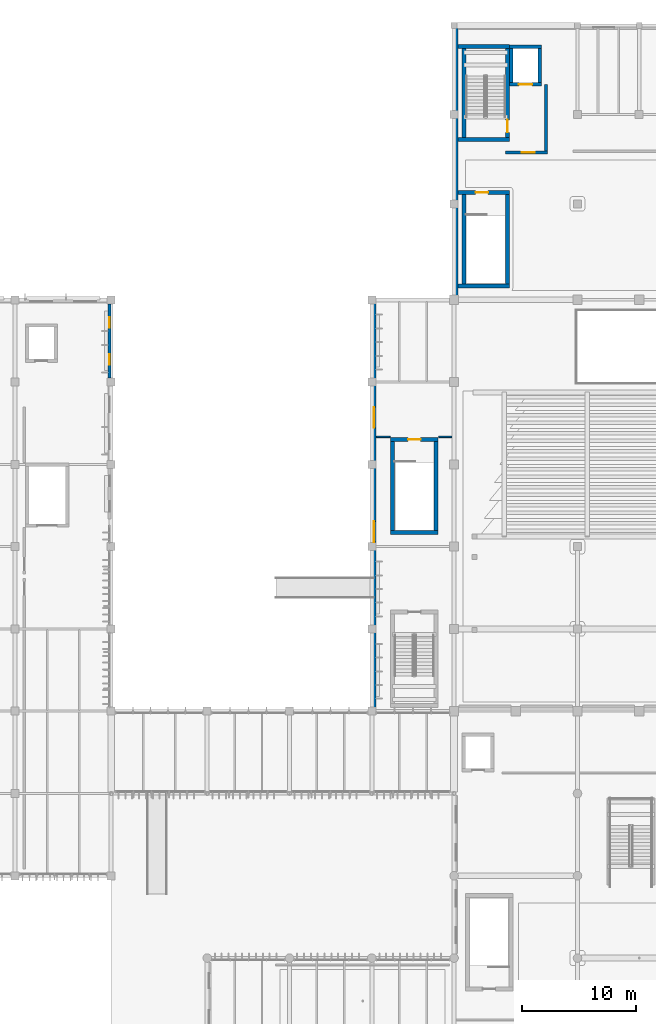
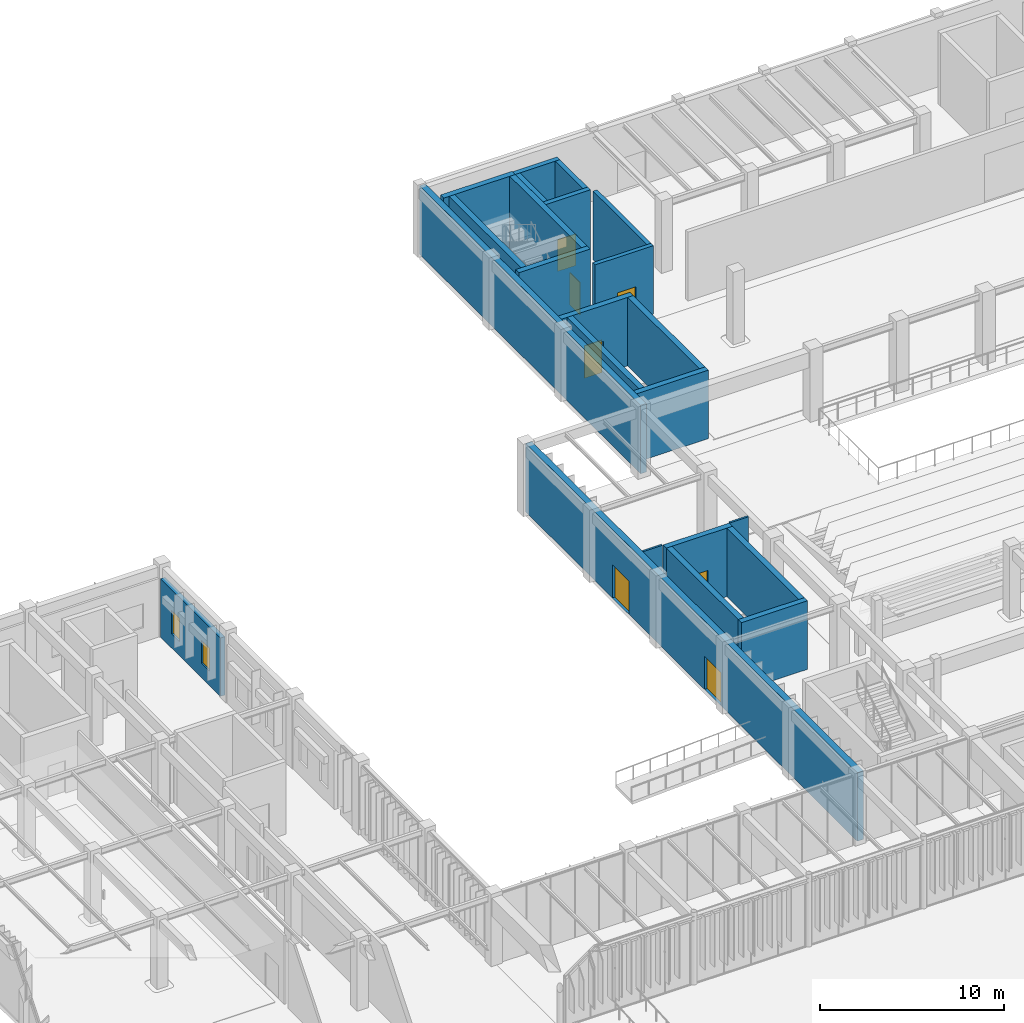
# One storey, part 37 of 122: 23 walls, 7 doors, 2 windows, 9 openings.
"""IFC4 building model written with IfcOpenShell, lengths in metres."""

import ifcopenshell
import ifcopenshell.guid

model = None  # the IFC model being written
_history = None  # IfcOwnerHistory: only IFC2X3 demands one
_inside = {}  # id of a spatial element -> (the spatial element, [elements in it])
_under = {}  # id of a project, library or spatial element -> (it, [spatial elements below it])
_declared = {}  # id of a project -> (the project, [libraries it declares])
_typed = {}  # id of a type object -> (the type object, [elements of that type])
_made_of = {}  # id of a material, layer set ... -> (it, [elements and type objects made of it])


def new_model(schema):
    """Start an empty IFC model of exactly this schema.

    Asked for "IFC4X3", IfcOpenShell would pick the latest addendum, in which some entities
    have other attributes; the version numbers below select the first issue.
    IFC2X3 requires an IfcOwnerHistory on every rooted entity: one is made here for all.
    """
    global model, _history
    if schema == "IFC4X3":
        model = ifcopenshell.file(schema_version=(4, 3, 0, 0))
    else:
        model = ifcopenshell.file(schema=schema)
    _inside.clear()
    _under.clear()
    _declared.clear()
    _typed.clear()
    _made_of.clear()
    _history = None
    if model.schema == "IFC2X3":
        org = make("IfcOrganization", Name="unknown")
        user = make(
            "IfcPersonAndOrganization",
            ThePerson=make("IfcPerson", FamilyName="unknown"),
            TheOrganization=org,
        )
        app = make(
            "IfcApplication",
            ApplicationDeveloper=org,
            Version="unknown",
            ApplicationFullName="unknown",
            ApplicationIdentifier="unknown",
        )
        _history = make(
            "IfcOwnerHistory",
            OwningUser=user,
            OwningApplication=app,
            ChangeAction="ADDED",
            CreationDate=0,
        )
    return model


def make(cls, **values):
    """One entity of the class cls with the attributes given. An attribute that is None is left unset."""
    return model.create_entity(
        cls, **{name: value for name, value in values.items() if value is not None}
    )


def rooted(cls, **values):
    """An entity with a GlobalId (a new one), such as an element, a storey or a relation."""
    return make(cls, GlobalId=ifcopenshell.guid.new(), OwnerHistory=_history, **values)


def si_unit(unit_type, name, prefix=None):
    """IfcSIUnit, for example si_unit("LENGTHUNIT", "METRE", prefix="MILLI")."""
    return make("IfcSIUnit", UnitType=unit_type, Prefix=prefix, Name=name)


def assignment(units):
    """IfcUnitAssignment: the units of a project."""
    return None if units is None else make("IfcUnitAssignment", Units=units)


def point(xyz):
    """IfcCartesianPoint."""
    return None if xyz is None else make("IfcCartesianPoint", Coordinates=xyz)


def direction(xyz):
    """IfcDirection."""
    return None if xyz is None else make("IfcDirection", DirectionRatios=xyz)


def frame(location, z_axis=None, x_axis=None):
    """IfcAxis2Placement3D, a coordinate frame: its origin and axes. An axis left out is left unset."""
    return make(
        "IfcAxis2Placement3D",
        Location=point(location),
        Axis=direction(z_axis),
        RefDirection=direction(x_axis),
    )


def frame_2d(location, x_axis=None):
    """IfcAxis2Placement2D, a coordinate frame in the plane: its origin and x axis."""
    return make(
        "IfcAxis2Placement2D", Location=point(location), RefDirection=direction(x_axis)
    )


def origin():
    """The frame at (0, 0, 0) with its axes left unset."""
    return frame((0.0, 0.0, 0.0))


def place(relative_to, where):
    """IfcLocalPlacement: puts the frame where relative to a parent placement (None: the world)."""
    return make(
        "IfcLocalPlacement", PlacementRelTo=relative_to, RelativePlacement=where
    )


def context(
    kind, dimensions, precision=None, world=None, true_north=None, identifier=None
):
    """IfcGeometricRepresentationContext, for example the 3D "Model" context."""
    return make(
        "IfcGeometricRepresentationContext",
        ContextIdentifier=identifier,
        ContextType=kind,
        CoordinateSpaceDimension=dimensions,
        Precision=precision,
        WorldCoordinateSystem=world,
        TrueNorth=true_north,
    )


def subcontext(parent, identifier, kind, view, scale=None):
    """IfcGeometricRepresentationSubContext, for example "Body" below "Model"."""
    return make(
        "IfcGeometricRepresentationSubContext",
        ContextIdentifier=identifier,
        ContextType=kind,
        ParentContext=parent,
        TargetScale=scale,
        TargetView=view,
    )


def project(units=None, contexts=None):
    """IfcProject with its units and contexts."""
    return rooted(
        "IfcProject",
        Name="project",
        RepresentationContexts=contexts,
        UnitsInContext=assignment(units),
    )


def spatial(cls, under=None, at=None, **own):
    """A site, building, storey or space (cls), placed at a placement, below another one or the project."""
    s = rooted(cls, ObjectPlacement=at, **own)
    if under is not None:
        _under.setdefault(under.id(), (under, []))[1].append(s)
    return s


def profile(cls, at=None, kind="AREA", **sizes):
    """A parametric profile (cls). Its sizes go by their IFC names, for example OverallWidth=200.0."""
    return make(cls, ProfileType=kind, Position=at, **sizes)


def rectangle(**sizes):
    """IfcRectangleProfileDef."""
    return profile("IfcRectangleProfileDef", **sizes)


def extrude(swept, where, along, depth):
    """IfcExtrudedAreaSolid: the profile swept, set in the frame where, extruded along a direction by depth."""
    return make(
        "IfcExtrudedAreaSolid",
        SweptArea=swept,
        Position=where,
        ExtrudedDirection=direction(along),
        Depth=depth,
    )


def shape(context_of_items, identifier, shape_type, items):
    """IfcShapeRepresentation: the items that make up one representation, for example the "Body"."""
    return make(
        "IfcShapeRepresentation",
        ContextOfItems=context_of_items,
        RepresentationIdentifier=identifier,
        RepresentationType=shape_type,
        Items=items,
    )


def material(Name=None, Category=None):
    """IfcMaterial."""
    return make("IfcMaterial", Name=Name, Category=Category)


def layer(
    of_material, thickness, ventilated=None, Name=None, Category=None, Priority=None
):
    """IfcMaterialLayer: one layer of a wall or slab, of a material (None: an air gap)."""
    return make(
        "IfcMaterialLayer",
        Material=of_material,
        LayerThickness=thickness,
        IsVentilated=ventilated,
        Name=Name,
        Category=Category,
        Priority=Priority,
    )


def layer_set(layers, Name=None):
    """IfcMaterialLayerSet."""
    return make("IfcMaterialLayerSet", MaterialLayers=layers, LayerSetName=Name)


def made_of(thing, what):
    """Note that an element or type object is made of a material, layer set ...; save() writes the relation."""
    if what is not None:
        _made_of.setdefault(what.id(), (what, []))[1].append(thing)
    return thing


def type_object(cls, material=None, **own):
    """A type object (cls), such as IfcWallType, which elements share."""
    return made_of(rooted(cls, **own), material)


def element(
    cls,
    number,
    at=None,
    inside=None,
    cuts=None,
    type_object=None,
    material=None,
    context=None,
    identifier="Body",
    shape_type=None,
    held_by="IfcProductDefinitionShape",
    body=None,
    shapes=None,
    **own,
):
    """One element of the class cls, such as IfcWall. Its Tag is "e" and its number.

    at: its placement. inside: the storey or other place that contains it. cuts: it is an
    opening in that element (IfcRelVoidsElement). A single representation is given by context,
    identifier, shape_type and body (its items); several are given by shapes. held_by: the class
    of the entity that holds the representations. save() writes the other relations.
    """
    e = rooted(cls, Tag="e%d" % number, ObjectPlacement=at, **own)
    if body is not None:
        shapes = [shape(context, identifier, shape_type, body)]
    if shapes is not None:
        e.Representation = make(held_by, Representations=shapes)
    if inside is not None:
        _inside.setdefault(inside.id(), (inside, []))[1].append(e)
    if cuts is not None:
        rooted(
            "IfcRelVoidsElement", RelatingBuildingElement=cuts, RelatedOpeningElement=e
        )
    if type_object is not None:
        _typed.setdefault(type_object.id(), (type_object, []))[1].append(e)
    return made_of(e, material)


def fill(opening, filler):
    """IfcRelFillsElement: the door or window that sits in an opening."""
    return rooted(
        "IfcRelFillsElement",
        RelatingOpeningElement=opening,
        RelatedBuildingElement=filler,
    )


def aggregate(whole, parts):
    """IfcRelAggregates: a whole, such as a stair, and the parts it consists of."""
    return rooted("IfcRelAggregates", RelatingObject=whole, RelatedObjects=parts)


def save(model, path):
    """Write the relations noted so far, then the file.

    IfcRelAggregates (storeys below a building ...), IfcRelContainedInSpatialStructure (elements
    in a storey), IfcRelDefinesByType, IfcRelAssociatesMaterial and IfcRelDeclares: one each for
    every whole, place, type object, material and project.
    """
    for whole, parts in _under.values():
        aggregate(whole, parts)
    for where, things in _inside.values():
        rooted(
            "IfcRelContainedInSpatialStructure",
            RelatedElements=things,
            RelatingStructure=where,
        )
    for kind, things in _typed.values():
        rooted("IfcRelDefinesByType", RelatedObjects=things, RelatingType=kind)
    for what, things in _made_of.values():
        rooted("IfcRelAssociatesMaterial", RelatedObjects=things, RelatingMaterial=what)
    for by, libraries in _declared.values():
        rooted("IfcRelDeclares", RelatingContext=by, RelatedDefinitions=libraries)
    model.write(path)


model = new_model("IFC4")

# Units and contexts
model_context = context("Model", 3, precision=1e-05, world=origin(), true_north=direction((0.0, 1.0)))
body_context = subcontext(model_context, "Body", "Model", "MODEL_VIEW")
ifc_project = project(units=[si_unit("LENGTHUNIT", "METRE"), si_unit("AREAUNIT", "SQUARE_METRE"), si_unit("VOLUMEUNIT", "CUBIC_METRE"), si_unit("PLANEANGLEUNIT", "RADIAN"), si_unit("MASSUNIT", "GRAM", prefix="KILO")], contexts=[model_context])

# Site, building, storey
site_placement = place(None, origin())
site = spatial("IfcSite", under=ifc_project, at=site_placement, CompositionType="ELEMENT")
building_placement = place(site_placement, origin())
building = spatial("IfcBuilding", under=site, at=building_placement, Name="Tazoul Stagehouse", CompositionType="ELEMENT")
storey_placement = place(building_placement, origin())
storey = spatial("IfcBuildingStorey", under=building, at=storey_placement, Name="L00", CompositionType="ELEMENT", Elevation=0.0)

# Wall
ifc_material_1 = material(Name="Ochre Fired Clay Facing Brick Masonry", Category="masonry")
ifc_layer_1 = layer(ifc_material_1, 0.360107421875, Name="Ochre Fired Clay Facing Brick Masonry")
ifc_layer_set_1 = layer_set([ifc_layer_1], Name="Ochre Fired Clay Facing Brick Masonry")
wall_type_1 = type_object("IfcWallType", Name="Acoustic Stagehouse Masonry-Concrete Cavity Wall 360", PredefinedType="SOLIDWALL", material=ifc_layer_set_1)
wall_1_placement = place(storey_placement, frame((57.780029296875, 87.800048828125, 0.0), z_axis=(0.0, 0.0, 1.0), x_axis=(0.0, 1.0, 0.0)))
element("IfcWall", 1, at=wall_1_placement, inside=storey, type_object=wall_type_1, Name="L00 Wall EW-360 (WALL-V2-W-L00-S1)", PredefinedType="SOLIDWALL", context=body_context, shape_type="SweptSolid", body=[
    extrude(rectangle(XDim=24.0, YDim=0.360107421875, at=frame_2d((12.0, 0.0))), origin(), (0.0, 0.0, 1.0), 4.5400390625),
])

# Wall, openings, doors
ifc_material_2 = material(Name="Concrete C40/50", Category="concrete")
ifc_layer_2 = layer(ifc_material_2, 0.3798828125, Name="Concrete C40/50")
ifc_layer_set_2 = layer_set([ifc_layer_2], Name="Concrete C40/50")
wall_type_2 = type_object("IfcWallType", Name="Auditorium Shell Acoustic Perimeter Wall 380", PredefinedType="SOLIDWALL", material=ifc_layer_set_2)
wall_2_placement = place(storey_placement, frame((50.590087890625, 51.800048828125, 0.0), z_axis=(0.0, 0.0, 1.0), x_axis=(0.0, 1.0, 0.0)))
wall_2 = element("IfcWall", 2, at=wall_2_placement, inside=storey, type_object=wall_type_2, Name="L00 Wall EW-380 (WALL-V1-W-L00-S1)", PredefinedType="SOLIDWALL", context=body_context, shape_type="SweptSolid", body=[
    extrude(rectangle(XDim=36.0, YDim=0.3798828125, at=frame_2d((18.0, 0.0))), origin(), (0.0, 0.0, 1.0), 4.5400390625),
])
opening_1_placement = place(wall_2_placement, frame((14.800048828125, 0.0, 0.0)))
opening_1 = element("IfcOpeningElement", 3, at=opening_1_placement, cuts=wall_2, Name="Opening ED-03", PredefinedType="OPENING", context=body_context, shape_type="SweptSolid", body=[
    extrude(rectangle(XDim=1.800048828125, YDim=2.199951171875, at=frame_2d((0.89990234375, 1.10009765625))), frame((0.0, 0.2099609375, 0.0), z_axis=(0.0, -1.0, 0.0), x_axis=(1.0, 0.0, 0.0)), (0.0, 0.0, 1.0), 0.419921875),
])
opening_2_placement = place(wall_2_placement, frame((24.800048828125, 0.0, 0.0)))
opening_2 = element("IfcOpeningElement", 4, at=opening_2_placement, cuts=wall_2, Name="Opening ED-03", PredefinedType="OPENING", context=body_context, shape_type="SweptSolid", body=[
    extrude(rectangle(XDim=1.800048828125, YDim=2.199951171875, at=frame_2d((0.89990234375, 1.10009765625))), frame((0.0, 0.2099609375, 0.0), z_axis=(0.0, -1.0, 0.0), x_axis=(1.0, 0.0, 0.0)), (0.0, 0.0, 1.0), 0.419921875),
])
ifc_material_3 = material(Name="Powder-Coated Galvanised Steel Leaf", Category="steel")
door_type_1 = type_object("IfcDoorType", Name="Perimeter Emergency Exit Double Door 1800x2200", OperationType="DOUBLE_DOOR_SINGLE_SWING", PredefinedType="DOOR", material=ifc_material_3)
door_1_placement = place(opening_1_placement, origin())
door_1 = element("IfcDoor", 5, at=door_1_placement, inside=storey, type_object=door_type_1, Name="L00 Door ED-03 (DR-V1-W-EXIT1)", OperationType="SINGLE_SWING_LEFT", OverallHeight=2.199951171875, OverallWidth=1.800048828125, PredefinedType="DOOR", context=body_context, shape_type="SweptSolid", body=[
    extrude(rectangle(XDim=1.800048828125, YDim=2.199951171875, at=frame_2d((0.89990234375, 1.10009765625))), frame((0.0, 0.02490234375, 0.0), z_axis=(0.0, -1.0, 0.0), x_axis=(1.0, 0.0, 0.0)), (0.0, 0.0, 1.0), 0.050048828125),
])
fill(opening_1, door_1)
door_2_placement = place(opening_2_placement, origin())
door_2 = element("IfcDoor", 6, at=door_2_placement, inside=storey, type_object=door_type_1, Name="L00 Door ED-03 (DR-V1-W-EXIT2)", OperationType="SINGLE_SWING_LEFT", OverallHeight=2.199951171875, OverallWidth=1.800048828125, PredefinedType="DOOR", context=body_context, shape_type="SweptSolid", body=[
    extrude(rectangle(XDim=1.800048828125, YDim=2.199951171875, at=frame_2d((0.89990234375, 1.10009765625))), frame((0.0, 0.02490234375, 0.0), z_axis=(0.0, -1.0, 0.0), x_axis=(1.0, 0.0, 0.0)), (0.0, 0.0, 1.0), 0.050048828125),
])
fill(opening_2, door_2)

# Walls
ifc_layer_3 = layer(ifc_material_2, 0.35009765625, Name="Concrete C40/50")
ifc_layer_set_3 = layer_set([ifc_layer_3], Name="Concrete C40/50")
wall_type_3 = type_object("IfcWallType", Name="Core Shear Wall 350", PredefinedType="SOLIDWALL", material=ifc_layer_set_3)
wall_3_placement = place(storey_placement, frame((62.449951171875, 101.824951171875, 0.0), z_axis=(0.0, 0.0, 1.0), x_axis=(-1.0, 0.0, 0.0)))
element("IfcWall", 7, at=wall_3_placement, inside=storey, type_object=wall_type_3, Name="L00 Core Wall CW-350 (SHF-ST-03-south)", PredefinedType="SOLIDWALL", context=body_context, shape_type="SweptSolid", body=[
    extrude(rectangle(XDim=4.489990234375, YDim=0.35009765625, at=frame_2d((2.2451171875, 0.0))), origin(), (0.0, 0.0, 1.0), 4.800048828125),
])
wall_4_placement = place(storey_placement, frame((58.47509765625, 102.0, 0.0), z_axis=(0.0, 0.0, 1.0), x_axis=(0.0, 1.0, 0.0)))
element("IfcWall", 8, at=wall_4_placement, inside=storey, type_object=wall_type_3, Name="L00 Core Wall CW-350 (SHF-ST-03-west)", PredefinedType="SOLIDWALL", context=body_context, shape_type="SweptSolid", body=[
    extrude(rectangle(XDim=7.800048828125, YDim=0.35009765625, at=frame_2d((3.89990234375, 0.0))), origin(), (0.0, 0.0, 1.0), 4.800048828125),
])
wall_5_placement = place(storey_placement, frame((57.9599609375, 109.97509765625, 0.0), z_axis=(0.0, 0.0, 1.0), x_axis=(1.0, 0.0, 0.0)))
element("IfcWall", 9, at=wall_5_placement, inside=storey, type_object=wall_type_3, Name="L00 Core Wall CW-350 (SHF-ST-03-north)", PredefinedType="SOLIDWALL", context=body_context, shape_type="SweptSolid", body=[
    extrude(rectangle(XDim=4.489990234375, YDim=0.35009765625, at=frame_2d((2.2451171875, 0.0))), origin(), (0.0, 0.0, 1.0), 4.800048828125),
])

# Wall, opening, door
wall_6_placement = place(storey_placement, frame((62.27490234375, 109.800048828125, 0.0), z_axis=(0.0, 0.0, 1.0), x_axis=(0.0, -1.0, 0.0)))
wall_6 = element("IfcWall", 10, at=wall_6_placement, inside=storey, type_object=wall_type_3, Name="L00 Core Wall CW-350 (SHF-ST-03-east)", PredefinedType="SOLIDWALL", context=body_context, shape_type="SweptSolid", body=[
    extrude(rectangle(XDim=7.800048828125, YDim=0.35009765625, at=frame_2d((3.89990234375, 0.0))), origin(), (0.0, 0.0, 1.0), 4.800048828125),
])
opening_3_placement = place(wall_6_placement, frame((6.25, 0.0, 0.0)))
opening_3 = element("IfcOpeningElement", 11, at=opening_3_placement, cuts=wall_6, Name="Opening FD-01", PredefinedType="OPENING", context=body_context, shape_type="SweptSolid", body=[
    extrude(rectangle(XDim=1.10009765625, YDim=2.14990234375, at=frame_2d((0.550048828125, 1.074951171875))), frame((0.0, 0.195068359375, 0.0), z_axis=(0.0, -1.0, 0.0), x_axis=(1.0, 0.0, 0.0)), (0.0, 0.0, 1.0), 0.39013671875),
])
ifc_material_4 = material(Name="Powder-Coated Galvanised Acoustic Steel", Category="steel")
door_type_2 = type_object("IfcDoorType", Name="Core Escape Stair Fire Door 1100x2150", OperationType="NOTDEFINED", PredefinedType="DOOR", material=ifc_material_4)
door_3_placement = place(opening_3_placement, origin())
door_3 = element("IfcDoor", 12, at=door_3_placement, inside=storey, type_object=door_type_2, Name="L00 Escape Stair Fire Door FD-01 (ST-03)", OperationType="SINGLE_SWING_LEFT", OverallHeight=2.14990234375, OverallWidth=1.10009765625, PredefinedType="DOOR", context=body_context, shape_type="SweptSolid", body=[
    extrude(rectangle(XDim=1.10009765625, YDim=2.14990234375, at=frame_2d((0.550048828125, 1.074951171875))), frame((0.0, 0.02490234375, 0.0), z_axis=(0.0, -1.0, 0.0), x_axis=(1.0, 0.0, 0.0)), (0.0, 0.0, 1.0), 0.050048828125),
])
fill(opening_3, door_3)

# Walls
wall_7_placement = place(storey_placement, frame((62.449951171875, 89.02490234375, 0.0), z_axis=(0.0, 0.0, 1.0), x_axis=(-1.0, 0.0, 0.0)))
element("IfcWall", 13, at=wall_7_placement, inside=storey, type_object=wall_type_3, Name="L00 Core Wall CW-350 (SHF-ST-B3-south)", PredefinedType="SOLIDWALL", context=body_context, shape_type="SweptSolid", body=[
    extrude(rectangle(XDim=4.489990234375, YDim=0.35009765625, at=frame_2d((2.2451171875, 0.0))), origin(), (0.0, 0.0, 1.0), 4.5400390625),
])
wall_8_placement = place(storey_placement, frame((58.47509765625, 89.199951171875, 0.0), z_axis=(0.0, 0.0, 1.0), x_axis=(0.0, 1.0, 0.0)))
element("IfcWall", 14, at=wall_8_placement, inside=storey, type_object=wall_type_3, Name="L00 Core Wall CW-350 (SHF-ST-B3-west)", PredefinedType="SOLIDWALL", context=body_context, shape_type="SweptSolid", body=[
    extrude(rectangle(XDim=7.800048828125, YDim=0.35009765625, at=frame_2d((3.89990234375, 0.0))), origin(), (0.0, 0.0, 1.0), 4.5400390625),
])

# Wall, opening, door
wall_9_placement = place(storey_placement, frame((57.9599609375, 97.175048828125, 0.0), z_axis=(0.0, 0.0, 1.0), x_axis=(1.0, 0.0, 0.0)))
wall_9 = element("IfcWall", 15, at=wall_9_placement, inside=storey, type_object=wall_type_3, Name="L00 Core Wall CW-350 (SHF-ST-B3-north)", PredefinedType="SOLIDWALL", context=body_context, shape_type="SweptSolid", body=[
    extrude(rectangle(XDim=4.489990234375, YDim=0.35009765625, at=frame_2d((2.2451171875, 0.0))), origin(), (0.0, 0.0, 1.0), 4.5400390625),
])
opening_4_placement = place(wall_9_placement, frame((1.52490234375, 0.0, 0.0)))
opening_4 = element("IfcOpeningElement", 16, at=opening_4_placement, cuts=wall_9, Name="Opening FD-01", PredefinedType="OPENING", context=body_context, shape_type="SweptSolid", body=[
    extrude(rectangle(XDim=1.10009765625, YDim=2.14990234375, at=frame_2d((0.550048828125, 1.074951171875))), frame((0.0, 0.195068359375, 0.0), z_axis=(0.0, -1.0, 0.0), x_axis=(1.0, 0.0, 0.0)), (0.0, 0.0, 1.0), 0.39013671875),
])
door_4_placement = place(opening_4_placement, origin())
door_4 = element("IfcDoor", 17, at=door_4_placement, inside=storey, type_object=door_type_2, Name="L00 Basement Stair Fire Door FD-01 (ST-B3)", OperationType="SINGLE_SWING_RIGHT", OverallHeight=2.14990234375, OverallWidth=1.10009765625, PredefinedType="DOOR", context=body_context, shape_type="SweptSolid", body=[
    extrude(rectangle(XDim=1.10009765625, YDim=2.14990234375, at=frame_2d((0.550048828125, 1.074951171875))), frame((0.0, 0.02490234375, 0.0), z_axis=(0.0, -1.0, 0.0), x_axis=(1.0, 0.0, 0.0)), (0.0, 0.0, 1.0), 0.050048828125),
])
fill(opening_4, door_4)

# Walls
wall_10_placement = place(storey_placement, frame((62.27490234375, 97.0, 0.0), z_axis=(0.0, 0.0, 1.0), x_axis=(0.0, -1.0, 0.0)))
element("IfcWall", 18, at=wall_10_placement, inside=storey, type_object=wall_type_3, Name="L00 Core Wall CW-350 (SHF-ST-B3-east)", PredefinedType="SOLIDWALL", context=body_context, shape_type="SweptSolid", body=[
    extrude(rectangle(XDim=7.800048828125, YDim=0.35009765625, at=frame_2d((3.89990234375, 0.0))), origin(), (0.0, 0.0, 1.0), 4.5400390625),
])
wall_11_placement = place(storey_placement, frame((56.199951171875, 67.425048828125, 0.0), z_axis=(0.0, 0.0, 1.0), x_axis=(-1.0, 0.0, 0.0)))
element("IfcWall", 19, at=wall_11_placement, inside=storey, type_object=wall_type_3, Name="L00 Core Wall CW-350 (SHF-ST-B5-south)", PredefinedType="SOLIDWALL", context=body_context, shape_type="SweptSolid", body=[
    extrude(rectangle(XDim=4.14990234375, YDim=0.35009765625, at=frame_2d((2.074951171875, 0.0))), origin(), (0.0, 0.0, 1.0), 4.5400390625),
])
wall_12_placement = place(storey_placement, frame((52.22509765625, 67.60009765625, 0.0), z_axis=(0.0, 0.0, 1.0), x_axis=(0.0, 1.0, 0.0)))
element("IfcWall", 20, at=wall_12_placement, inside=storey, type_object=wall_type_3, Name="L00 Core Wall CW-350 (SHF-ST-B5-west)", PredefinedType="SOLIDWALL", context=body_context, shape_type="SweptSolid", body=[
    extrude(rectangle(XDim=7.7998046875, YDim=0.35009765625, at=frame_2d((3.89990234375, 0.0))), origin(), (0.0, 0.0, 1.0), 4.5400390625),
])

# Wall, opening, door
wall_13_placement = place(storey_placement, frame((52.050048828125, 75.574951171875, 0.0), z_axis=(0.0, 0.0, 1.0), x_axis=(1.0, 0.0, 0.0)))
wall_13 = element("IfcWall", 21, at=wall_13_placement, inside=storey, type_object=wall_type_3, Name="L00 Core Wall CW-350 (SHF-ST-B5-north)", PredefinedType="SOLIDWALL", context=body_context, shape_type="SweptSolid", body=[
    extrude(rectangle(XDim=4.14990234375, YDim=0.35009765625, at=frame_2d((2.074951171875, 0.0))), origin(), (0.0, 0.0, 1.0), 4.5400390625),
])
opening_5_placement = place(wall_13_placement, frame((1.52490234375, 0.0, 0.0)))
opening_5 = element("IfcOpeningElement", 22, at=opening_5_placement, cuts=wall_13, Name="Opening FD-01", PredefinedType="OPENING", context=body_context, shape_type="SweptSolid", body=[
    extrude(rectangle(XDim=1.10009765625, YDim=2.14990234375, at=frame_2d((0.550048828125, 1.074951171875))), frame((0.0, 0.195068359375, 0.0), z_axis=(0.0, -1.0, 0.0), x_axis=(1.0, 0.0, 0.0)), (0.0, 0.0, 1.0), 0.39013671875),
])
door_5_placement = place(opening_5_placement, origin())
door_5 = element("IfcDoor", 23, at=door_5_placement, inside=storey, type_object=door_type_2, Name="L00 Basement Stair Fire Door FD-01 (ST-B5)", OperationType="SINGLE_SWING_LEFT", OverallHeight=2.14990234375, OverallWidth=1.10009765625, PredefinedType="DOOR", context=body_context, shape_type="SweptSolid", body=[
    extrude(rectangle(XDim=1.10009765625, YDim=2.14990234375, at=frame_2d((0.550048828125, 1.074951171875))), frame((0.0, 0.02490234375, 0.0), z_axis=(0.0, -1.0, 0.0), x_axis=(1.0, 0.0, 0.0)), (0.0, 0.0, 1.0), 0.050048828125),
])
fill(opening_5, door_5)

# Wall
wall_14_placement = place(storey_placement, frame((56.02490234375, 75.39990234375, 0.0), z_axis=(0.0, 0.0, 1.0), x_axis=(0.0, -1.0, 0.0)))
element("IfcWall", 24, at=wall_14_placement, inside=storey, type_object=wall_type_3, Name="L00 Core Wall CW-350 (SHF-ST-B5-east)", PredefinedType="SOLIDWALL", context=body_context, shape_type="SweptSolid", body=[
    extrude(rectangle(XDim=7.7998046875, YDim=0.35009765625, at=frame_2d((3.89990234375, 0.0))), origin(), (0.0, 0.0, 1.0), 4.5400390625),
])

# Wall, opening, door
ifc_layer_4 = layer(ifc_material_2, 0.260009765625, Name="Concrete C40/50")
ifc_layer_set_4 = layer_set([ifc_layer_4], Name="Concrete C40/50")
wall_type_4 = type_object("IfcWallType", Name="Firefighting Lobby Wall 260", PredefinedType="SOLIDWALL", material=ifc_layer_set_4)
wall_15_placement = place(storey_placement, frame((65.760009765625, 100.669921875, 0.0), z_axis=(0.0, 0.0, 1.0), x_axis=(-1.0, 0.0, 0.0)))
wall_15 = element("IfcWall", 25, at=wall_15_placement, inside=storey, type_object=wall_type_4, Name="L00 Firefighting Lobby Wall CW-260 (C3-S)", PredefinedType="SOLIDWALL", context=body_context, shape_type="SweptSolid", body=[
    extrude(rectangle(XDim=3.659912109375, YDim=0.260009765625, at=frame_2d((1.830078125, 0.0))), origin(), (0.0, 0.0, 1.0), 4.5400390625),
])
opening_6_placement = place(wall_15_placement, frame((1.10009765625, 0.0, 0.0)))
opening_6 = element("IfcOpeningElement", 26, at=opening_6_placement, cuts=wall_15, Name="Opening FD-02", PredefinedType="OPENING", context=body_context, shape_type="SweptSolid", body=[
    extrude(rectangle(XDim=1.14990234375, YDim=2.199951171875, at=frame_2d((0.574951171875, 1.10009765625))), frame((0.0, 0.14990234375, 0.0), z_axis=(0.0, -1.0, 0.0), x_axis=(1.0, 0.0, 0.0)), (0.0, 0.0, 1.0), 0.300048828125),
])
door_type_3 = type_object("IfcDoorType", Name="Firefighting Lobby Fire Door 1150x2200", OperationType="NOTDEFINED", PredefinedType="DOOR", material=ifc_material_4)
door_6_placement = place(opening_6_placement, origin())
door_6 = element("IfcDoor", 27, at=door_6_placement, inside=storey, type_object=door_type_3, Name="L00 Firefighting Lobby Door FD-02 (C3)", OperationType="SINGLE_SWING_RIGHT", OverallHeight=2.199951171875, OverallWidth=1.14990234375, PredefinedType="DOOR", context=body_context, shape_type="SweptSolid", body=[
    extrude(rectangle(XDim=1.14990234375, YDim=2.199951171875, at=frame_2d((0.574951171875, 1.10009765625))), frame((0.0, 0.02490234375, 0.0), z_axis=(0.0, -1.0, 0.0), x_axis=(1.0, 0.0, 0.0)), (0.0, 0.0, 1.0), 0.050048828125),
])
fill(opening_6, door_6)

# Wall
wall_16_placement = place(storey_placement, frame((65.6298828125, 106.64990234375, 0.0), z_axis=(0.0, 0.0, 1.0), x_axis=(0.0, -1.0, 0.0)))
element("IfcWall", 28, at=wall_16_placement, inside=storey, type_object=wall_type_4, Name="L00 Firefighting Lobby Wall CW-260 (C3-E)", PredefinedType="SOLIDWALL", context=body_context, shape_type="SweptSolid", body=[
    extrude(rectangle(XDim=5.849853515625, YDim=0.260009765625, at=frame_2d((2.9248046875, 0.0))), origin(), (0.0, 0.0, 1.0), 4.5400390625),
])

# Wall, openings, windows
ifc_material_5 = material(Name="Precast concrete C40/50", Category="concrete")
ifc_layer_5 = layer(ifc_material_5, 0.280029296875, Name="Precast concrete C40/50")
ifc_layer_set_5 = layer_set([ifc_layer_5], Name="Precast concrete C40/50")
wall_type_5 = type_object("IfcWallType", Name="Insulated Precast Acoustic Cladding Wall 280", PredefinedType="SOLIDWALL", material=ifc_layer_set_5)
wall_17_placement = place(storey_placement, frame((27.449951171875, 80.955078125, 0.0), z_axis=(0.0, 0.0, 1.0), x_axis=(0.0, 1.0, 0.0)))
wall_17 = element("IfcWall", 29, at=wall_17_placement, inside=storey, type_object=wall_type_5, Name="L00 Wall EW-280 (WALL-V6-E2-L00-S3)", PredefinedType="SOLIDWALL", context=body_context, shape_type="SweptSolid", body=[
    extrude(rectangle(XDim=6.489990234375, YDim=0.280029296875, at=frame_2d((3.2451171875, 0.0))), origin(), (0.0, 0.0, 1.0), 3.873046875),
])
opening_7_placement = place(wall_17_placement, frame((1.172607421875, 0.0, 0.949951171875)))
opening_7 = element("IfcOpeningElement", 30, at=opening_7_placement, cuts=wall_17, Name="Opening WN-33", PredefinedType="OPENING", context=body_context, shape_type="SweptSolid", body=[
    extrude(rectangle(XDim=0.89990234375, YDim=1.550048828125, at=frame_2d((0.449951171875, 0.77490234375))), frame((0.0, 0.159912109375, 0.0), z_axis=(0.0, -1.0, 0.0), x_axis=(1.0, 0.0, 0.0)), (0.0, 0.0, 1.0), 0.320068359375),
])
opening_8_placement = place(wall_17_placement, frame((4.41748046875, 0.0, 0.949951171875)))
opening_8 = element("IfcOpeningElement", 31, at=opening_8_placement, cuts=wall_17, Name="Opening WN-33", PredefinedType="OPENING", context=body_context, shape_type="SweptSolid", body=[
    extrude(rectangle(XDim=0.89990234375, YDim=1.550048828125, at=frame_2d((0.449951171875, 0.77490234375))), frame((0.0, 0.159912109375, 0.0), z_axis=(0.0, -1.0, 0.0), x_axis=(1.0, 0.0, 0.0)), (0.0, 0.0, 1.0), 0.320068359375),
])
ifc_material_6 = material(Name="Double Low-E Acoustic Laminated Glass", Category="glass")
window_type = type_object("IfcWindowType", Name="Architectural Acoustic Facade Window 900x1550", PartitioningType="SINGLE_PANEL", PredefinedType="WINDOW", material=ifc_material_6)
window_1_placement = place(opening_7_placement, origin())
window_1 = element("IfcWindow", 32, at=window_1_placement, inside=storey, type_object=window_type, Name="L00 Window WN-33 (WALL-V6-E2-L00-S3-W1)", OverallHeight=1.550048828125, OverallWidth=0.89990234375, PartitioningType="SINGLE_PANEL", PredefinedType="WINDOW", context=body_context, shape_type="SweptSolid", body=[
    extrude(rectangle(XDim=0.89990234375, YDim=1.550048828125, at=frame_2d((0.449951171875, 0.77490234375))), frame((0.0, 0.030029296875, 0.0), z_axis=(0.0, -1.0, 0.0), x_axis=(1.0, 0.0, 0.0)), (0.0, 0.0, 1.0), 0.06005859375),
])
fill(opening_7, window_1)
window_2_placement = place(opening_8_placement, origin())
window_2 = element("IfcWindow", 33, at=window_2_placement, inside=storey, type_object=window_type, Name="L00 Window WN-33 (WALL-V6-E2-L00-S3-W2)", OverallHeight=1.550048828125, OverallWidth=0.89990234375, PartitioningType="SINGLE_PANEL", PredefinedType="WINDOW", context=body_context, shape_type="SweptSolid", body=[
    extrude(rectangle(XDim=0.89990234375, YDim=1.550048828125, at=frame_2d((0.449951171875, 0.77490234375))), frame((0.0, 0.030029296875, 0.0), z_axis=(0.0, -1.0, 0.0), x_axis=(1.0, 0.0, 0.0)), (0.0, 0.0, 1.0), 0.06005859375),
])
fill(opening_8, window_2)

# Wall, opening, door
ifc_layer_6 = layer(ifc_material_2, 0.300048828125, Name="Concrete C40/50")
ifc_layer_set_6 = layer_set([ifc_layer_6], Name="Concrete C40/50")
wall_type_6 = type_object("IfcWallType", Name="Lift Shaft Wall 300", PredefinedType="SOLIDWALL", material=ifc_layer_set_6)
wall_18_placement = place(storey_placement, frame((65.25, 106.64990234375, 0.0), z_axis=(0.0, 0.0, 1.0), x_axis=(-1.0, 0.0, 0.0)))
wall_18 = element("IfcWall", 34, at=wall_18_placement, inside=storey, type_object=wall_type_6, Name="L00 Core Wall CW-300 (LSHF-FFL-02-south)", PredefinedType="SOLIDWALL", context=body_context, shape_type="SweptSolid", body=[
    extrude(rectangle(XDim=2.800048828125, YDim=0.300048828125, at=frame_2d((1.39990234375, 0.0))), origin(), (0.0, 0.0, 1.0), 4.800048828125),
])
opening_9_placement = place(wall_18_placement, frame((0.824951171875, 0.0, 0.0)))
opening_9 = element("IfcOpeningElement", 35, at=opening_9_placement, cuts=wall_18, Name="Opening LD-02", PredefinedType="OPENING", context=body_context, shape_type="SweptSolid", body=[
    extrude(rectangle(XDim=1.14990234375, YDim=2.10009765625, at=frame_2d((0.574951171875, 1.050048828125))), frame((0.0, 0.169921875, 0.0), z_axis=(0.0, -1.0, 0.0), x_axis=(1.0, 0.0, 0.0)), (0.0, 0.0, 1.0), 0.340087890625),
])
door_type_4 = type_object("IfcDoorType", Name="Firefighter Lift Sliding Landing Door 1150x2100", OperationType="DOUBLE_DOOR_SLIDING", PredefinedType="DOOR", material=ifc_material_4)
door_7_placement = place(opening_9_placement, origin())
door_7 = element("IfcDoor", 36, at=door_7_placement, inside=storey, type_object=door_type_4, Name="L00 Lift Landing Sliding Door LD-02 (FFL-02)", OperationType="DOUBLE_DOOR_SLIDING", OverallHeight=2.10009765625, OverallWidth=1.14990234375, PredefinedType="DOOR", context=body_context, shape_type="SweptSolid", body=[
    extrude(rectangle(XDim=1.14990234375, YDim=2.10009765625, at=frame_2d((0.574951171875, 1.050048828125))), frame((0.0, 0.02490234375, 0.0), z_axis=(0.0, -1.0, 0.0), x_axis=(1.0, 0.0, 0.0)), (0.0, 0.0, 1.0), 0.050048828125),
])
fill(opening_9, door_7)

# Walls
wall_19_placement = place(storey_placement, frame((62.60009765625, 106.800048828125, 0.0), z_axis=(0.0, 0.0, 1.0), x_axis=(0.0, 1.0, 0.0)))
element("IfcWall", 37, at=wall_19_placement, inside=storey, type_object=wall_type_6, Name="L00 Core Wall CW-300 (LSHF-FFL-02-west)", PredefinedType="SOLIDWALL", context=body_context, shape_type="SweptSolid", body=[
    extrude(rectangle(XDim=3.0, YDim=0.300048828125, at=frame_2d((1.5, 0.0))), origin(), (0.0, 0.0, 1.0), 4.800048828125),
])
wall_20_placement = place(storey_placement, frame((62.449951171875, 109.949951171875, 0.0), z_axis=(0.0, 0.0, 1.0), x_axis=(1.0, 0.0, 0.0)))
element("IfcWall", 38, at=wall_20_placement, inside=storey, type_object=wall_type_6, Name="L00 Core Wall CW-300 (LSHF-FFL-02-north)", PredefinedType="SOLIDWALL", context=body_context, shape_type="SweptSolid", body=[
    extrude(rectangle(XDim=2.800048828125, YDim=0.300048828125, at=frame_2d((1.39990234375, 0.0))), origin(), (0.0, 0.0, 1.0), 4.800048828125),
])
wall_21_placement = place(storey_placement, frame((65.10009765625, 109.800048828125, 0.0), z_axis=(0.0, 0.0, 1.0), x_axis=(0.0, -1.0, 0.0)))
element("IfcWall", 39, at=wall_21_placement, inside=storey, type_object=wall_type_6, Name="L00 Core Wall CW-300 (LSHF-FFL-02-east)", PredefinedType="SOLIDWALL", context=body_context, shape_type="SweptSolid", body=[
    extrude(rectangle(XDim=3.0, YDim=0.300048828125, at=frame_2d((1.5, 0.0))), origin(), (0.0, 0.0, 1.0), 4.800048828125),
])
ifc_material_7 = material(Name="Gypsum Acoustic Partition", Category="gypsum")
ifc_layer_7 = layer(ifc_material_7, 0.1298828125, Name="Gypsum Acoustic Partition")
ifc_layer_set_7 = layer_set([ifc_layer_7], Name="Gypsum Acoustic Partition")
wall_type_7 = type_object("IfcWallType", Name="Office Drywall Partition 130", PredefinedType="PARTITIONING", material=ifc_layer_set_7)
wall_22_placement = place(storey_placement, frame((50.800048828125, 75.800048828125, 0.0), z_axis=(0.0, 0.0, 1.0), x_axis=(1.0, 0.0, 0.0)))
element("IfcWall", 40, at=wall_22_placement, inside=storey, type_object=wall_type_7, Name="L00 Partition PW-130 (PW-RM-L00-110-N-S1)", PredefinedType="PARTITIONING", context=body_context, shape_type="SweptSolid", body=[
    extrude(rectangle(XDim=1.2099609375, YDim=0.1298828125, at=frame_2d((0.60498046875, 0.0))), origin(), (0.0, 0.0, 1.0), 4.5400390625),
])
wall_23_placement = place(storey_placement, frame((56.239990234375, 75.800048828125, 0.0), z_axis=(0.0, 0.0, 1.0), x_axis=(1.0, 0.0, 0.0)))
element("IfcWall", 41, at=wall_23_placement, inside=storey, type_object=wall_type_7, Name="L00 Partition PW-130 (PW-RM-L00-110-N-S2)", PredefinedType="PARTITIONING", context=body_context, shape_type="SweptSolid", body=[
    extrude(rectangle(XDim=1.159912109375, YDim=0.1298828125, at=frame_2d((0.580078125, 0.0))), origin(), (0.0, 0.0, 1.0), 4.5400390625),
])

save(model, "model.ifc")
